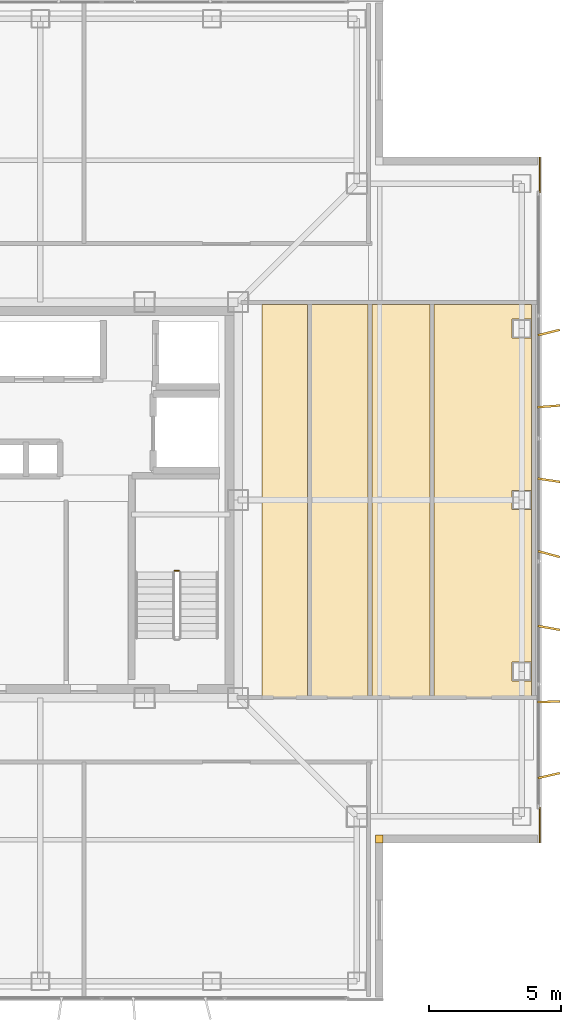
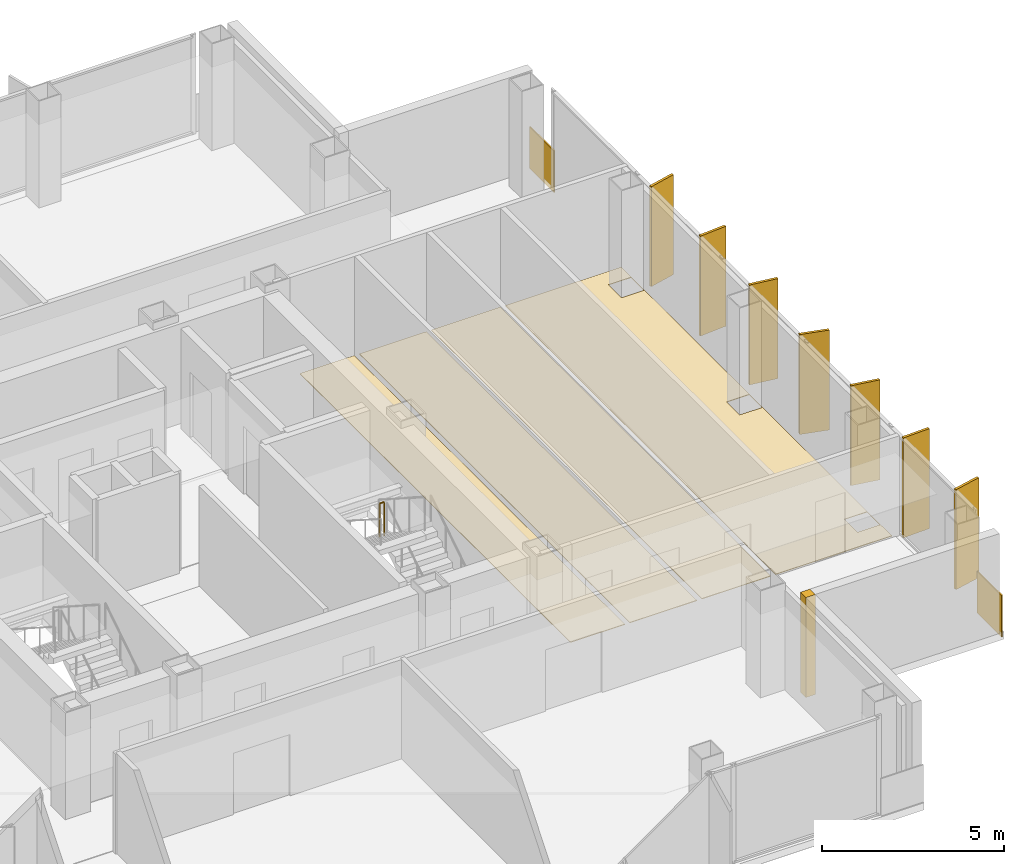
# One storey, part 14 of 15: 7 coverings, 7 shading devices, 1 railing.
"""IFC4 building model written with IfcOpenShell, lengths in metres."""

from ifc_helpers import new_model, si_unit, direction, frame, frame_2d, origin, origin_2d, place, context, subcontext, project, spatial, polyline, rectangle, circle, outline, extrude, material, layer, layer_set, type_object, element, save


model = new_model("IFC4")

# Units and contexts
model_context = context("Model", 3, precision=1e-05, world=origin(), true_north=direction((0.0, 1.0)))
body_context = subcontext(model_context, "Body", "Model", "MODEL_VIEW")
ifc_project = project(units=[si_unit("LENGTHUNIT", "METRE"), si_unit("AREAUNIT", "SQUARE_METRE"), si_unit("VOLUMEUNIT", "CUBIC_METRE"), si_unit("PLANEANGLEUNIT", "RADIAN"), si_unit("MASSUNIT", "GRAM", prefix="KILO")], contexts=[model_context])

# Site, building, storey
site_placement = place(None, origin())
site = spatial("IfcSite", under=ifc_project, at=site_placement, CompositionType="ELEMENT")
building_placement = place(site_placement, origin())
building = spatial("IfcBuilding", under=site, at=building_placement, Name="Trevonay Congress Spire", CompositionType="ELEMENT")
storey_placement = place(building_placement, frame((0.0, 0.0, 282.800048828125)))
storey = spatial("IfcBuildingStorey", under=building, at=storey_placement, Name="L74", CompositionType="ELEMENT", Elevation=282.800048828125)

# Coverings
ifc_material_1 = material(Name="Polished Granite Floor Tile", Category="masonry")
ifc_layer_1 = layer(ifc_material_1, 0.02001953125, Name="Polished Granite Floor Tile")
ifc_layer_set_1 = layer_set([ifc_layer_1], Name="Polished Granite Floor Tile")
covering_type_1 = type_object("IfcCoveringType", Name="COV-FLOOR-STONE", PredefinedType="FLOORING", material=ifc_layer_set_1)
covering_1_placement = place(storey_placement, origin())
element("IfcCovering", 1, at=covering_1_placement, inside=storey, type_object=covering_type_1, Name="L74 Female Restroom WC floor finish", PredefinedType="FLOORING", context=body_context, shape_type="SweptSolid", body=[
    extrude(outline(polyline([(8.39990234375, -7.47998046875), (10.1298828125, -7.47998046875), (10.1298828125, 7.419921875), (8.39990234375, 7.419921875), (8.39990234375, -7.47998046875)])), origin(), (0.0, 0.0, 1.0), 0.02001953125),
])
covering_2_placement = place(storey_placement, origin())
element("IfcCovering", 2, at=covering_2_placement, inside=storey, type_object=covering_type_1, Name="L74 Floor Supplies and Copy Room floor finish", PredefinedType="FLOORING", context=body_context, shape_type="SweptSolid", body=[
    extrude(outline(polyline([(10.2900390625, -7.47998046875), (12.419921875, -7.47998046875), (12.419921875, 7.419921875), (10.2900390625, 7.419921875), (10.2900390625, -7.47998046875)])), origin(), (0.0, 0.0, 1.0), 0.02001953125),
])
covering_3_placement = place(storey_placement, origin())
element("IfcCovering", 3, at=covering_3_placement, inside=storey, type_object=covering_type_1, Name="L74 Male Restroom WC floor finish", PredefinedType="FLOORING", context=body_context, shape_type="SweptSolid", body=[
    extrude(outline(polyline([(12.580078125, -7.47998046875), (14.77001953125, -7.47998046875), (14.77001953125, 7.419921875), (12.580078125, 7.419921875), (12.580078125, -7.47998046875)])), origin(), (0.0, 0.0, 1.0), 0.02001953125),
])
covering_4_placement = place(storey_placement, origin())
element("IfcCovering", 4, at=covering_4_placement, inside=storey, type_object=covering_type_1, Name="L74 Floor Supplies and Copy Room floor finish", PredefinedType="FLOORING", context=body_context, shape_type="SweptSolid", body=[
    extrude(outline(polyline([(14.929931640625, 7.419921875), (18.6201171875, 7.419921875), (18.6201171875, -7.47998046875), (14.929931640625, -7.47998046875), (14.929931640625, 7.419921875)]), holes=[polyline([(17.889892578125, -6.860107421875), (18.610107421875, -6.860107421875), (18.610107421875, -6.139892578125), (17.889892578125, -6.139892578125), (17.889892578125, -6.860107421875)]), polyline([(17.889892578125, 0.360107421875), (17.889892578125, -0.360107421875), (18.610107421875, -0.360107421875), (18.610107421875, 0.360107421875), (17.889892578125, 0.360107421875)]), polyline([(17.889892578125, 6.860107421875), (17.889892578125, 6.139892578125), (18.610107421875, 6.139892578125), (18.610107421875, 6.860107421875), (17.889892578125, 6.860107421875)])]), origin(), (0.0, 0.0, 1.0), 0.02001953125),
])
ifc_material_2 = material(Name="Pale Anodised Aluminium EN AW-6063-T6", Category="aluminium")
ifc_layer_2 = layer(ifc_material_2, 0.0400390625, Name="Pale Anodised Aluminium EN AW-6063-T6")
ifc_layer_set_2 = layer_set([ifc_layer_2], Name="Pale Anodised Aluminium EN AW-6063-T6")
covering_type_2 = type_object("IfcCoveringType", Name="COV-SPANDREL-PALE-METAL", PredefinedType="CLADDING", material=ifc_layer_set_2)
covering_5_placement = place(storey_placement, origin())
element("IfcCovering", 5, at=covering_5_placement, inside=storey, type_object=covering_type_2, Name="L74 SE re-entrant notch corner closure trim", PredefinedType="CLADDING", context=body_context, shape_type="SweptSolid", body=[
    extrude(outline(polyline([(12.699951171875, -13.0), (13.0, -13.0), (13.0, -12.699951171875), (12.699951171875, -12.699951171875), (12.699951171875, -13.0)])), origin(), (0.0, 0.0, 1.0), 3.35986328125),
])
for number, where, z_axis, x_axis, name in (
    (6, (18.93994140625, -11.64990234375, -0.150146484375), (0.0, 0.0, 1.0), (0.0, -1.0, 0.0), "L74 SE corner pier spandrel cladding 1"),
    (7, (18.93994140625, 11.64990234375, -0.150146484375), (0.0, 0.0, 1.0), (0.0, 1.0, 0.0), "L74 NE corner pier spandrel cladding 1"),
):
    element("IfcCovering", number, at=place(storey_placement, frame(where, z_axis=z_axis, x_axis=x_axis)), inside=storey, type_object=covering_type_2, Name=name, PredefinedType="CLADDING", context=body_context, shape_type="SweptSolid", body=[
        extrude(rectangle(XDim=1.35009765625, YDim=0.0400390625, at=frame_2d((0.675048828125, 0.0))), origin(), (0.0, 0.0, 1.0), 1.400146484375),
    ])

# Railing
railing_type = type_object("IfcRailingType", Name="RAL-STAIR-GUARD-110", PredefinedType="GUARDRAIL", material=ifc_material_2)
railing_placement = place(storey_placement, frame((5.25, -2.679931640625, 1.800048828125)))
element("IfcRailing", 8, at=railing_placement, inside=storey, type_object=railing_type, Name="L74 ST-2 stair guard 2", PredefinedType="GUARDRAIL", context=body_context, shape_type="SweptSolid", body=[
    extrude(circle(Radius=0.02392578125, at=origin_2d()), frame((0.0, 0.0, 1.1259765625), z_axis=(-1.0, 0.0, 0.0), x_axis=(0.0, -1.0, 0.0)), (0.0, 0.0, 1.0), 0.14990234375),
    extrude(circle(Radius=0.02099609375, at=origin_2d()), origin(), (0.0, 0.0, 1.0), 1.101806640625),
    extrude(circle(Radius=0.02099609375, at=origin_2d()), frame((-0.14990234375, 0.0, 0.0)), (0.0, 0.0, 1.0), 1.101806640625),
])

# Shading devices
shading_device_type = type_object("IfcShadingDeviceType", Name="SHD-FIN-Z4-PALE-METAL", PredefinedType="USERDEFINED", material=ifc_material_2)
for number, where, z_axis, x_axis, name in (
    (9, (19.280029296875, -10.449951171875, 0.0), (0.0, 0.0, 1.0), (-0.224780991261, 0.97440931131, 0.0), "L74 E vertical pale-metal solar fin 1"),
    (10, (19.280029296875, -7.64990234375, 0.0), (0.0, 0.0, 1.0), (-0.039085416795, 0.999235873152, 0.0), "L74 E vertical pale-metal solar fin 2"),
    (11, (19.280029296875, -4.85009765625, 0.0), (0.0, 0.0, 1.0), (0.17708474032, 0.984195607969, 0.0), "L74 E vertical pale-metal solar fin 3"),
    (12, (19.280029296875, -2.050048828125, 0.0), (0.0, 0.0, 1.0), (0.258144638645, 0.966106280664, 0.0), "L74 E vertical pale-metal solar fin 4"),
    (13, (19.280029296875, 0.75, 0.0), (0.0, 0.0, 1.0), (0.146946275799, 0.989144474801, 0.0), "L74 E vertical pale-metal solar fin 5"),
    (14, (19.280029296875, 3.550048828125, 0.0), (0.0, 0.0, 1.0), (-0.077067060513, 0.997025911491, 0.0), "L74 E vertical pale-metal solar fin 6"),
    (15, (19.280029296875, 6.35009765625, 0.0), (0.0, 0.0, 1.0), (-0.241244442494, 0.970464383152, 0.0), "L74 E vertical pale-metal solar fin 7"),
):
    element("IfcShadingDevice", number, at=place(storey_placement, frame(where, z_axis=z_axis, x_axis=x_axis)), inside=storey, type_object=shading_device_type, Name=name, ObjectType="SOLAR FIN", PredefinedType="USERDEFINED", context=body_context, shape_type="SweptSolid", body=[
        extrude(rectangle(XDim=0.080078125, YDim=0.85009765625, at=origin_2d()), origin(), (0.0, 0.0, 1.0), 3.360107421875),
    ])

save(model, "model.ifc")
